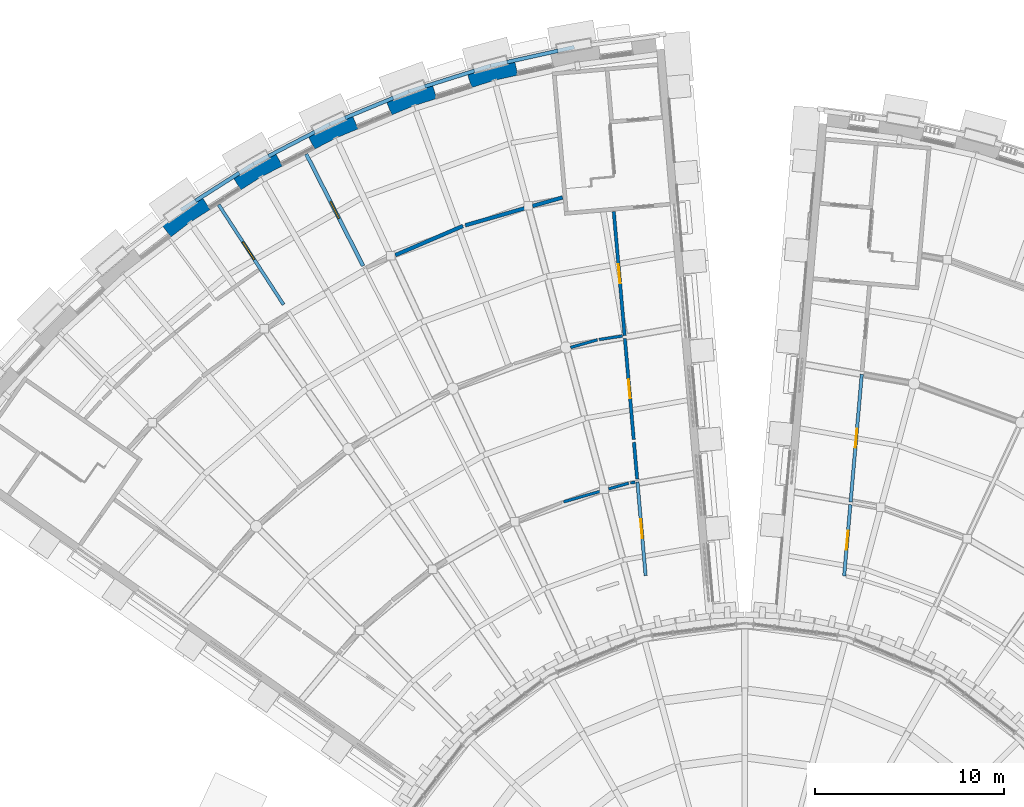
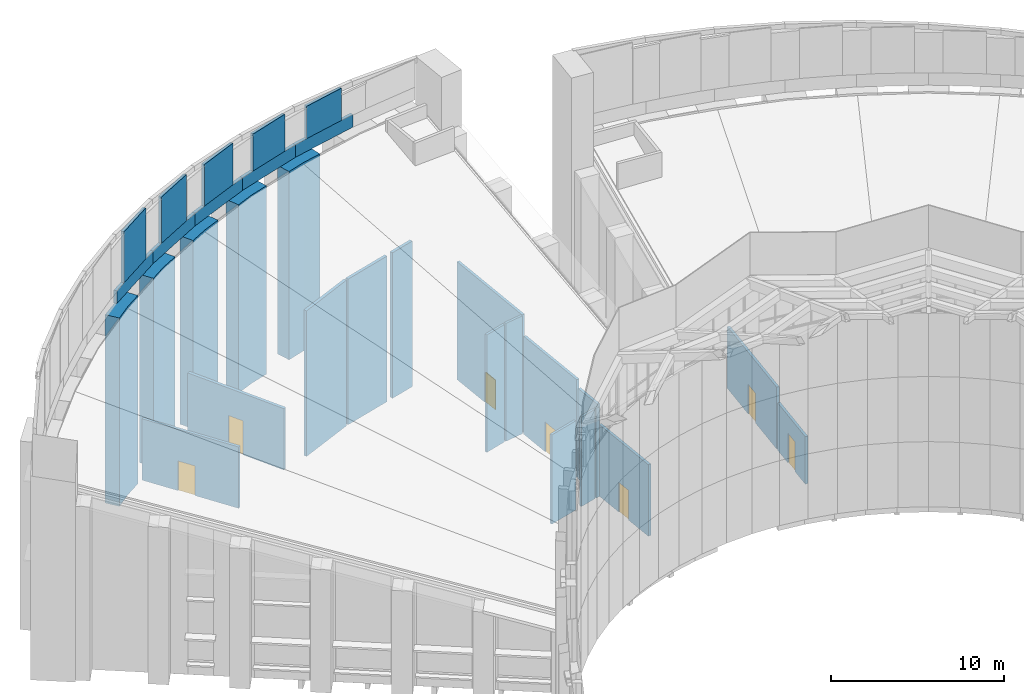
# One storey, part 59 of 82: 31 walls, 7 doors, 7 openings.
"""IFC4 building model written with IfcOpenShell, lengths in metres."""

from ifc_helpers import new_model, si_unit, direction, frame, frame_2d, origin, place, context, subcontext, project, spatial, polyline, rectangle, outline, extrude, material, layer, layer_set, type_object, element, fill, save


model = new_model("IFC4")

# Units and contexts
model_context = context("Model", 3, precision=1e-05, world=origin(), true_north=direction((0.0, 1.0)))
body_context = subcontext(model_context, "Body", "Model", "MODEL_VIEW")
ifc_project = project(units=[si_unit("LENGTHUNIT", "METRE"), si_unit("AREAUNIT", "SQUARE_METRE"), si_unit("VOLUMEUNIT", "CUBIC_METRE"), si_unit("PLANEANGLEUNIT", "RADIAN"), si_unit("MASSUNIT", "GRAM", prefix="KILO")], contexts=[model_context])

# Site, building, storey
site_placement = place(None, origin())
site = spatial("IfcSite", under=ifc_project, at=site_placement, CompositionType="ELEMENT")
building_placement = place(site_placement, origin())
building = spatial("IfcBuilding", under=site, at=building_placement, Name="Volute Hill Aquarium", CompositionType="ELEMENT")
storey_placement = place(building_placement, frame((0.0, 0.0, 13.800048828125)))
storey = spatial("IfcBuildingStorey", under=building, at=storey_placement, Name="L04", CompositionType="ELEMENT", Elevation=13.800048828125)

# Walls
ifc_material_1 = material(Name="Gypsum board on steel studs", Category="steel")
ifc_layer_1 = layer(ifc_material_1, 0.14990234375)
ifc_layer_set_1 = layer_set([ifc_layer_1], Name="Acoustic partition 150")
wall_type_1 = type_object("IfcWallType", Name="Acoustic partition 150", PredefinedType="PARTITIONING", material=ifc_layer_set_1)
wall_1_placement = place(storey_placement, frame((-9.57470703125, 27.101806640625, 0.0), z_axis=(0.0, 0.0, 1.0), x_axis=(0.961265803891, 0.275623029281, 0.0)))
element("IfcWall", 1, at=wall_1_placement, inside=storey, type_object=wall_type_1, Name="pw/S6/L04/035", PredefinedType="PARTITIONING", context=body_context, shape_type="SweptSolid", body=[
    extrude(rectangle(XDim=2.001953125, YDim=0.14990234375, at=frame_2d((1.0009765625, 0.0))), origin(), (0.0, 0.0, 1.0), 6.304443359375),
])
wall_2_placement = place(storey_placement, frame((-9.20703125, 35.253173828125, 0.0), z_axis=(0.0, 0.0, 1.0), x_axis=(0.961253533644, 0.275665819531, 0.0)))
element("IfcWall", 2, at=wall_2_placement, inside=storey, type_object=wall_type_1, Name="pw/S6/L04/041", PredefinedType="PARTITIONING", context=body_context, shape_type="SweptSolid", body=[
    extrude(rectangle(XDim=1.467529296875, YDim=0.14990234375, at=frame_2d((0.73388671875, 0.0))), origin(), (0.0, 0.0, 1.0), 8.294921875),
])
wall_3_placement = place(storey_placement, frame((-7.692626953125, 35.67333984375, 0.0), z_axis=(0.0, 0.0, 1.0), x_axis=(0.988582508218, 0.150680537714, 0.0)))
element("IfcWall", 3, at=wall_3_placement, inside=storey, type_object=wall_type_1, Name="pw/S6/L04/042", PredefinedType="PARTITIONING", context=body_context, shape_type="SweptSolid", body=[
    extrude(rectangle(XDim=1.239501953125, YDim=0.14990234375, at=frame_2d((0.61962890625, 0.0))), origin(), (0.0, 0.0, 1.0), 8.326416015625),
])
wall_4_placement = place(storey_placement, frame((-7.20166015625, 27.782470703125, 0.0), z_axis=(0.0, 0.0, 1.0), x_axis=(0.96129815515, 0.275510175682, 0.0)))
element("IfcWall", 4, at=wall_4_placement, inside=storey, type_object=wall_type_1, Name="pw/S6/L04/049", PredefinedType="PARTITIONING", context=body_context, shape_type="SweptSolid", body=[
    extrude(rectangle(XDim=1.103271484375, YDim=0.14990234375, at=frame_2d((0.5517578125, 0.0))), origin(), (0.0, 0.0, 1.0), 6.306396484375),
])
wall_5_placement = place(storey_placement, frame((-6.037109375, 28.102294921875, 0.0), z_axis=(0.0, 0.0, 1.0), x_axis=(0.988586978997, 0.150651202975, 0.0)))
element("IfcWall", 5, at=wall_5_placement, inside=storey, type_object=wall_type_1, Name="pw/S6/L04/055", PredefinedType="PARTITIONING", context=body_context, shape_type="SweptSolid", body=[
    extrude(rectangle(XDim=0.248046875, YDim=0.14990234375, at=frame_2d((0.1240234375, 0.0))), origin(), (0.0, 0.0, 1.0), 6.334228515625),
])

# Wall, opening, door
ifc_material_2 = material(Name="Gypsum board on steel studs", Category="steel")
ifc_layer_2 = layer(ifc_material_2, 0.175048828125)
ifc_layer_set_2 = layer_set([ifc_layer_2], Name="Corridor partition 175 EI 60")
wall_type_2 = type_object("IfcWallType", Name="Corridor partition 175 EI 60", PredefinedType="PARTITIONING", material=ifc_layer_set_2)
wall_6_placement = place(storey_placement, frame((6.17236328125, 33.835693359375, 0.0), z_axis=(0.0, 0.0, 1.0), x_axis=(-0.087153066589, -0.996194932222, 0.0)))
wall_6 = element("IfcWall", 6, at=wall_6_placement, inside=storey, type_object=wall_type_2, Name="pw/S5/L04/001", PredefinedType="PARTITIONING", context=body_context, shape_type="SweptSolid", body=[
    extrude(rectangle(XDim=6.76220703125, YDim=0.175048828125, at=frame_2d((3.381103515625, 0.0))), origin(), (0.0, 0.0, 1.0), 4.3603515625),
])
opening_1_placement = place(wall_6_placement, frame((2.881103515625, 0.0, 0.0)))
opening_1 = element("IfcOpeningElement", 7, at=opening_1_placement, cuts=wall_6, Name="Opening D5.04.06", PredefinedType="OPENING", context=body_context, shape_type="SweptSolid", body=[
    extrude(rectangle(XDim=1.0, YDim=2.10009765625, at=frame_2d((0.5, 1.050048828125))), frame((0.0, 0.097412109375, 0.0), z_axis=(0.0, -1.0, 0.0), x_axis=(1.0, 0.0, 0.0)), (0.0, 0.0, 1.0), 0.195068359375),
])
ifc_material_3 = material(Name="Timber, fire-rated", Category="wood")
door_type_1 = type_object("IfcDoorType", Name="Door 1000 x 2100 single EI1 30", OperationType="SINGLE_SWING_LEFT", PredefinedType="DOOR", material=ifc_material_3)
door_1_placement = place(opening_1_placement, origin())
door_1 = element("IfcDoor", 8, at=door_1_placement, inside=storey, type_object=door_type_1, Name="d/S5/L04/06", OperationType="SINGLE_SWING_RIGHT", OverallHeight=2.10009765625, OverallWidth=1.0, PredefinedType="DOOR", context=body_context, shape_type="SweptSolid", body=[
    extrude(rectangle(XDim=1.0, YDim=2.10009765625, at=frame_2d((0.5, 1.050048828125))), frame((0.0, 0.02490234375, 0.0), z_axis=(0.0, -1.0, 0.0), x_axis=(1.0, 0.0, 0.0)), (0.0, 0.0, 1.0), 0.050048828125),
])
fill(opening_1, door_1)

wall_7_placement = place(storey_placement, frame((5.570068359375, 26.94970703125, 0.0), z_axis=(0.0, 0.0, 1.0), x_axis=(-0.087196662223, -0.996191117255, 0.0)))
wall_7 = element("IfcWall", 9, at=wall_7_placement, inside=storey, type_object=wall_type_2, Name="pw/S5/L04/019", PredefinedType="PARTITIONING", context=body_context, shape_type="SweptSolid", body=[
    extrude(rectangle(XDim=3.771484375, YDim=0.175048828125, at=frame_2d((1.8857421875, 0.0))), origin(), (0.0, 0.0, 1.0), 3.35205078125),
])
opening_2_placement = place(wall_7_placement, frame((1.3857421875, 0.0, 0.0)))
opening_2 = element("IfcOpeningElement", 10, at=opening_2_placement, cuts=wall_7, Name="Opening D5.04.05", PredefinedType="OPENING", context=body_context, shape_type="SweptSolid", body=[
    extrude(rectangle(XDim=1.0, YDim=2.10009765625, at=frame_2d((0.5, 1.050048828125))), frame((0.0, 0.097412109375, 0.0), z_axis=(0.0, -1.0, 0.0), x_axis=(1.0, 0.0, 0.0)), (0.0, 0.0, 1.0), 0.195068359375),
])
door_2_placement = place(opening_2_placement, origin())
door_2 = element("IfcDoor", 11, at=door_2_placement, inside=storey, type_object=door_type_1, Name="d/S5/L04/05", OperationType="SINGLE_SWING_LEFT", OverallHeight=2.10009765625, OverallWidth=1.0, PredefinedType="DOOR", context=body_context, shape_type="SweptSolid", body=[
    extrude(rectangle(XDim=1.0, YDim=2.10009765625, at=frame_2d((0.5, 1.050048828125))), frame((0.0, 0.02490234375, 0.0), z_axis=(0.0, -1.0, 0.0), x_axis=(1.0, 0.0, 0.0)), (0.0, 0.0, 1.0), 0.050048828125),
])
fill(opening_2, door_2)

wall_8_placement = place(storey_placement, frame((-6.35107421875, 35.8779296875, 0.0), z_axis=(0.0, 0.0, 1.0), x_axis=(-0.087183992952, 0.996192226115, 0.0)))
wall_8 = element("IfcWall", 12, at=wall_8_placement, inside=storey, type_object=wall_type_2, Name="pw/S6/L04/007", PredefinedType="PARTITIONING", context=body_context, shape_type="SweptSolid", body=[
    extrude(rectangle(XDim=6.5751953125, YDim=0.175048828125, at=frame_2d((3.28759765625, 0.0))), origin(), (0.0, 0.0, 1.0), 8.32568359375),
])
opening_3_placement = place(wall_8_placement, frame((2.78759765625, 0.0, 0.0)))
opening_3 = element("IfcOpeningElement", 13, at=opening_3_placement, cuts=wall_8, Name="Opening D6.04.03", PredefinedType="OPENING", context=body_context, shape_type="SweptSolid", body=[
    extrude(rectangle(XDim=1.0, YDim=2.10009765625, at=frame_2d((0.5, 1.050048828125))), frame((0.0, 0.097412109375, 0.0), z_axis=(0.0, -1.0, 0.0), x_axis=(1.0, 0.0, 0.0)), (0.0, 0.0, 1.0), 0.195068359375),
])
door_3_placement = place(opening_3_placement, origin())
door_3 = element("IfcDoor", 14, at=door_3_placement, inside=storey, type_object=door_type_1, Name="d/S6/L04/03", OperationType="SINGLE_SWING_LEFT", OverallHeight=2.10009765625, OverallWidth=1.0, PredefinedType="DOOR", context=body_context, shape_type="SweptSolid", body=[
    extrude(rectangle(XDim=1.0, YDim=2.10009765625, at=frame_2d((0.5, 1.050048828125))), frame((0.0, 0.02490234375, 0.0), z_axis=(0.0, -1.0, 0.0), x_axis=(1.0, 0.0, 0.0)), (0.0, 0.0, 1.0), 0.050048828125),
])
fill(opening_3, door_3)

wall_9_placement = place(storey_placement, frame((-24.364990234375, 37.518798828125, 0.0), z_axis=(0.0, 0.0, 1.0), x_axis=(-0.544641624285, 0.838668886448, 0.0)))
wall_9 = element("IfcWall", 15, at=wall_9_placement, inside=storey, type_object=wall_type_2, Name="pw/S6/L04/008", PredefinedType="PARTITIONING", context=body_context, shape_type="SweptSolid", body=[
    extrude(rectangle(XDim=6.287353515625, YDim=0.175048828125, at=frame_2d((3.1435546875, 0.0))), origin(), (0.0, 0.0, 1.0), 4.3349609375),
])
opening_4_placement = place(wall_9_placement, frame((2.843505859375, 0.0, 0.0)))
opening_4 = element("IfcOpeningElement", 16, at=opening_4_placement, cuts=wall_9, Name="Opening D6.04.08", PredefinedType="OPENING", context=body_context, shape_type="SweptSolid", body=[
    extrude(rectangle(XDim=1.10009765625, YDim=2.10009765625, at=frame_2d((0.550048828125, 1.050048828125))), frame((0.0, 0.097412109375, 0.0), z_axis=(0.0, -1.0, 0.0), x_axis=(1.0, 0.0, 0.0)), (0.0, 0.0, 1.0), 0.195068359375),
])
ifc_material_4 = material(Name="Timber, fire-rated", Category="wood")
door_type_2 = type_object("IfcDoorType", Name="Door 1100 x 2100 accessible WC EI1 30", OperationType="SINGLE_SWING_LEFT", PredefinedType="DOOR", material=ifc_material_4)
door_4_placement = place(opening_4_placement, origin())
door_4 = element("IfcDoor", 17, at=door_4_placement, inside=storey, type_object=door_type_2, Name="d/S6/L04/08", OperationType="SINGLE_SWING_RIGHT", OverallHeight=2.10009765625, OverallWidth=1.10009765625, PredefinedType="DOOR", context=body_context, shape_type="SweptSolid", body=[
    extrude(rectangle(XDim=1.10009765625, YDim=2.10009765625, at=frame_2d((0.550048828125, 1.050048828125))), frame((0.0, 0.02490234375, 0.0), z_axis=(0.0, -1.0, 0.0), x_axis=(1.0, 0.0, 0.0)), (0.0, 0.0, 1.0), 0.050048828125),
])
fill(opening_4, door_4)

wall_10_placement = place(storey_placement, frame((-5.87158203125, 30.396728515625, 0.0), z_axis=(0.0, 0.0, 1.0), x_axis=(-0.087125642308, 0.996197331081, 0.0)))
wall_10 = element("IfcWall", 18, at=wall_10_placement, inside=storey, type_object=wall_type_2, Name="pw/S6/L04/010", PredefinedType="PARTITIONING", context=body_context, shape_type="SweptSolid", body=[
    extrude(rectangle(XDim=5.35205078125, YDim=0.175048828125, at=frame_2d((2.676025390625, 0.0))), origin(), (0.0, 0.0, 1.0), 6.911376953125),
])
opening_5_placement = place(wall_10_placement, frame((2.176025390625, 0.0, 0.0)))
opening_5 = element("IfcOpeningElement", 19, at=opening_5_placement, cuts=wall_10, Name="Opening D6.04.02", PredefinedType="OPENING", context=body_context, shape_type="SweptSolid", body=[
    extrude(rectangle(XDim=1.0, YDim=2.10009765625, at=frame_2d((0.5, 1.050048828125))), frame((0.0, 0.097412109375, 0.0), z_axis=(0.0, -1.0, 0.0), x_axis=(1.0, 0.0, 0.0)), (0.0, 0.0, 1.0), 0.195068359375),
])
door_5_placement = place(opening_5_placement, origin())
door_5 = element("IfcDoor", 20, at=door_5_placement, inside=storey, type_object=door_type_1, Name="d/S6/L04/02", OperationType="SINGLE_SWING_RIGHT", OverallHeight=2.10009765625, OverallWidth=1.0, PredefinedType="DOOR", context=body_context, shape_type="SweptSolid", body=[
    extrude(rectangle(XDim=1.0, YDim=2.10009765625, at=frame_2d((0.5, 1.050048828125))), frame((0.0, 0.02490234375, 0.0), z_axis=(0.0, -1.0, 0.0), x_axis=(1.0, 0.0, 0.0)), (0.0, 0.0, 1.0), 0.050048828125),
])
fill(opening_5, door_5)

wall_11_placement = place(storey_placement, frame((-5.2421875, 23.202392578125, 0.0), z_axis=(0.0, 0.0, 1.0), x_axis=(-0.087171821309, 0.996193291269, 0.0)))
wall_11 = element("IfcWall", 21, at=wall_11_placement, inside=storey, type_object=wall_type_2, Name="pw/S6/L04/012", PredefinedType="PARTITIONING", context=body_context, shape_type="SweptSolid", body=[
    extrude(rectangle(XDim=4.97412109375, YDim=0.175048828125, at=frame_2d((2.487060546875, 0.0))), origin(), (0.0, 0.0, 1.0), 5.0546875),
])
opening_6_placement = place(wall_11_placement, frame((1.987060546875, 0.0, 0.0)))
opening_6 = element("IfcOpeningElement", 22, at=opening_6_placement, cuts=wall_11, Name="Opening D6.04.01", PredefinedType="OPENING", context=body_context, shape_type="SweptSolid", body=[
    extrude(rectangle(XDim=1.0, YDim=2.10009765625, at=frame_2d((0.5, 1.050048828125))), frame((0.0, 0.097412109375, 0.0), z_axis=(0.0, -1.0, 0.0), x_axis=(1.0, 0.0, 0.0)), (0.0, 0.0, 1.0), 0.195068359375),
])
door_6_placement = place(opening_6_placement, origin())
door_6 = element("IfcDoor", 23, at=door_6_placement, inside=storey, type_object=door_type_1, Name="d/S6/L04/01", OperationType="SINGLE_SWING_LEFT", OverallHeight=2.10009765625, OverallWidth=1.0, PredefinedType="DOOR", context=body_context, shape_type="SweptSolid", body=[
    extrude(rectangle(XDim=1.0, YDim=2.10009765625, at=frame_2d((0.5, 1.050048828125))), frame((0.0, 0.02490234375, 0.0), z_axis=(0.0, -1.0, 0.0), x_axis=(1.0, 0.0, 0.0)), (0.0, 0.0, 1.0), 0.050048828125),
])
fill(opening_6, door_6)

# Walls
wall_12_placement = place(storey_placement, frame((-5.688720703125, 28.306884765625, 0.0), z_axis=(0.0, 0.0, 1.0), x_axis=(-0.087110975906, 0.996198613669, 0.0)))
element("IfcWall", 24, at=wall_12_placement, inside=storey, type_object=wall_type_2, Name="pw/S6/L04/033", PredefinedType="PARTITIONING", context=body_context, shape_type="SweptSolid", body=[
    extrude(rectangle(XDim=1.94775390625, YDim=0.175048828125, at=frame_2d((0.973876953125, 0.0))), origin(), (0.0, 0.0, 1.0), 6.3720703125),
])
ifc_material_5 = material(Name="Precast concrete C40/50", Category="concrete")
ifc_layer_3 = layer(ifc_material_5, 0.199951171875)
ifc_layer_set_3 = layer_set([ifc_layer_3], Name="Crown screen wall precast concrete C40/50 200")
wall_type_3 = type_object("IfcWallType", Name="Crown screen wall precast concrete C40/50 200", PredefinedType="NOTDEFINED", material=ifc_layer_set_3)
wall_13_placement = place(storey_placement, frame((0.0, 0.0, 14.199951171875)))
element("IfcWall", 25, at=wall_13_placement, inside=storey, type_object=wall_type_3, Name="Crown screen wall CSW S6 2", PredefinedType="NOTDEFINED", context=body_context, shape_type="SweptSolid", body=[
    extrude(outline(polyline([(-9.906494140625, 51.01611328125), (-12.58203125, 50.4228515625), (-12.530029296875, 50.2294921875), (-9.871826171875, 50.81884765625), (-9.906494140625, 51.01611328125)])), origin(), (0.0, 0.0, 1.0), 2.280029296875),
])
wall_14_placement = place(storey_placement, frame((0.0, 0.0, 14.199951171875)))
element("IfcWall", 26, at=wall_14_placement, inside=storey, type_object=wall_type_3, Name="Crown screen wall CSW S6 3", PredefinedType="NOTDEFINED", context=body_context, shape_type="SweptSolid", body=[
    extrude(outline(polyline([(-14.315185546875, 49.95849609375), (-16.9287109375, 49.134521484375), (-16.860107421875, 48.9462890625), (-14.263427734375, 49.76513671875), (-14.315185546875, 49.95849609375)])), origin(), (0.0, 0.0, 1.0), 2.610107421875),
])
wall_15_placement = place(storey_placement, frame((0.0, 0.0, 14.199951171875)))
element("IfcWall", 27, at=wall_15_placement, inside=storey, type_object=wall_type_3, Name="Crown screen wall CSW S6 4", PredefinedType="NOTDEFINED", context=body_context, shape_type="SweptSolid", body=[
    extrude(outline(polyline([(-18.61474609375, 48.520751953125), (-21.146728515625, 47.47216796875), (-21.06201171875, 47.290771484375), (-18.54638671875, 48.332763671875), (-18.61474609375, 48.520751953125)])), origin(), (0.0, 0.0, 1.0), 2.93994140625),
])
wall_16_placement = place(storey_placement, frame((0.0, 0.0, 14.199951171875)))
element("IfcWall", 28, at=wall_16_placement, inside=storey, type_object=wall_type_3, Name="Crown screen wall CSW S6 5", PredefinedType="NOTDEFINED", context=body_context, shape_type="SweptSolid", body=[
    extrude(outline(polyline([(-22.77294921875, 46.7138671875), (-25.20361328125, 45.448486328125), (-25.103515625, 45.27490234375), (-22.688232421875, 46.5322265625), (-22.77294921875, 46.7138671875)])), origin(), (0.0, 0.0, 1.0), 3.27001953125),
])
wall_17_placement = place(storey_placement, frame((0.0, 0.0, 14.199951171875)))
element("IfcWall", 29, at=wall_17_placement, inside=storey, type_object=wall_type_3, Name="Crown screen wall CSW S6 6", PredefinedType="NOTDEFINED", context=body_context, shape_type="SweptSolid", body=[
    extrude(outline(polyline([(-26.757568359375, 44.55126953125), (-29.06884765625, 43.078857421875), (-28.9541015625, 42.914794921875), (-26.657470703125, 44.3779296875), (-26.757568359375, 44.55126953125)])), origin(), (0.0, 0.0, 1.0), 3.60009765625),
])

# Wall, opening, door
ifc_material_6 = material(Name="Masonry blockwork", Category="masonry")
ifc_layer_4 = layer(ifc_material_6, 0.199951171875)
ifc_layer_set_4 = layer_set([ifc_layer_4], Name="Fire partition 200 EI 60")
wall_type_4 = type_object("IfcWallType", Name="Fire partition 200 EI 60", PredefinedType="PARTITIONING", material=ifc_layer_set_4)
wall_18_placement = place(storey_placement, frame((-23.1640625, 45.462158203125, 0.0), z_axis=(0.0, 0.0, 1.0), x_axis=(0.453983208185, -0.891010239383, 0.0)))
wall_18 = element("IfcWall", 30, at=wall_18_placement, inside=storey, type_object=wall_type_4, Name="pw/S6/L04/004", PredefinedType="PARTITIONING", context=body_context, shape_type="SweptSolid", body=[
    extrude(rectangle(XDim=6.623291015625, YDim=0.199951171875, at=frame_2d((3.3115234375, 0.0))), origin(), (0.0, 0.0, 1.0), 4.3349609375),
])
opening_7_placement = place(wall_18_placement, frame((2.811767578125, 0.0, 0.0)))
opening_7 = element("IfcOpeningElement", 31, at=opening_7_placement, cuts=wall_18, Name="Opening D6.04.07", PredefinedType="OPENING", context=body_context, shape_type="SweptSolid", body=[
    extrude(rectangle(XDim=1.0, YDim=2.39990234375, at=frame_2d((0.5, 1.199951171875))), frame((0.0, 0.10986328125, 0.0), z_axis=(0.0, -1.0, 0.0), x_axis=(1.0, 0.0, 0.0)), (0.0, 0.0, 1.0), 0.219970703125),
])
ifc_material_7 = material(Name="Steel, fire-rated", Category="steel")
door_type_3 = type_object("IfcDoorType", Name="Door 1000 x 2400 laboratory EI1 30", OperationType="SINGLE_SWING_LEFT", PredefinedType="DOOR", material=ifc_material_7)
door_7_placement = place(opening_7_placement, origin())
door_7 = element("IfcDoor", 32, at=door_7_placement, inside=storey, type_object=door_type_3, Name="d/S6/L04/07", OperationType="SINGLE_SWING_LEFT", OverallHeight=2.39990234375, OverallWidth=1.0, PredefinedType="DOOR", context=body_context, shape_type="SweptSolid", body=[
    extrude(rectangle(XDim=1.0, YDim=2.39990234375, at=frame_2d((0.5, 1.199951171875))), frame((0.0, 0.02490234375, 0.0), z_axis=(0.0, -1.0, 0.0), x_axis=(1.0, 0.0, 0.0)), (0.0, 0.0, 1.0), 0.050048828125),
])
fill(opening_7, door_7)

# Walls
wall_19_placement = place(storey_placement, frame((-18.462158203125, 40.12890625, 0.0), z_axis=(0.0, 0.0, 1.0), x_axis=(0.918233153658, 0.396040244828, 0.0)))
element("IfcWall", 33, at=wall_19_placement, inside=storey, type_object=wall_type_4, Name="pw/S6/L04/019", PredefinedType="PARTITIONING", context=body_context, shape_type="SweptSolid", body=[
    extrude(rectangle(XDim=3.887939453125, YDim=0.199951171875, at=frame_2d((1.94384765625, 0.0))), origin(), (0.0, 0.0, 1.0), 10.283935546875),
])
wall_20_placement = place(storey_placement, frame((-14.767333984375, 41.70458984375, 0.0), z_axis=(0.0, 0.0, 1.0), x_axis=(0.961273910013, 0.275594756714, 0.0)))
element("IfcWall", 34, at=wall_20_placement, inside=storey, type_object=wall_type_4, Name="pw/S6/L04/023", PredefinedType="PARTITIONING", context=body_context, shape_type="SweptSolid", body=[
    extrude(rectangle(XDim=3.24755859375, YDim=0.199951171875, at=frame_2d((1.623779296875, 0.0))), origin(), (0.0, 0.0, 1.0), 10.28125),
])
wall_21_placement = place(storey_placement, frame((-11.213623046875, 42.7236328125, 0.0), z_axis=(0.0, 0.0, 1.0), x_axis=(0.961266301996, 0.275621292078, 0.0)))
element("IfcWall", 35, at=wall_21_placement, inside=storey, type_object=wall_type_4, Name="pw/S6/L04/039", PredefinedType="PARTITIONING", context=body_context, shape_type="SweptSolid", body=[
    extrude(rectangle(XDim=1.6474609375, YDim=0.199951171875, at=frame_2d((0.82373046875, 0.0))), origin(), (0.0, 0.0, 1.0), 10.283447265625),
])
ifc_material_8 = material(Name="Precast concrete C40/50", Category="concrete")
ifc_layer_5 = layer(ifc_material_8, 0.89990234375)
ifc_layer_set_5 = layer_set([ifc_layer_5], Name="Outer pier precast concrete C40/50 900")
wall_type_5 = type_object("IfcWallType", Name="Outer pier precast concrete C40/50 900", PredefinedType="NOTDEFINED", material=ifc_layer_set_5)
wall_22_placement = place(storey_placement, origin())
element("IfcWall", 36, at=wall_22_placement, inside=storey, type_object=wall_type_5, Name="Outer pier OWP S6 L04 3", PredefinedType="NOTDEFINED", context=body_context, shape_type="SweptSolid", body=[
    extrude(outline(polyline([(-11.993408203125, 49.631591796875), (-12.188232421875, 50.51025390625), (-14.69970703125, 49.837158203125), (-14.42919921875, 48.97900390625), (-13.2255859375, 49.3583984375), (-11.993408203125, 49.631591796875)])), origin(), (0.0, 0.0, 1.0), 13.300048828125),
])
wall_23_placement = place(storey_placement, origin())
element("IfcWall", 37, at=wall_23_placement, inside=storey, type_object=wall_type_5, Name="Outer pier OWP S6 L04 4", PredefinedType="NOTDEFINED", context=body_context, shape_type="SweptSolid", body=[
    extrude(outline(polyline([(-16.2734375, 48.3974609375), (-16.544189453125, 49.255859375), (-18.987548828125, 48.366455078125), (-18.64306640625, 47.534912109375), (-17.47705078125, 48.017822265625), (-16.2734375, 48.3974609375)])), origin(), (0.0, 0.0, 1.0), 13.300048828125),
])
wall_24_placement = place(storey_placement, origin())
element("IfcWall", 38, at=wall_24_placement, inside=storey, type_object=wall_type_5, Name="Outer pier OWP S6 L04 5", PredefinedType="NOTDEFINED", context=body_context, shape_type="SweptSolid", body=[
    extrude(outline(polyline([(-20.4296875, 46.794921875), (-20.774169921875, 47.62646484375), (-23.130615234375, 46.527587890625), (-22.715087890625, 45.729248046875), (-21.595703125, 46.31201171875), (-20.4296875, 46.794921875)])), origin(), (0.0, 0.0, 1.0), 13.300048828125),
])
wall_25_placement = place(storey_placement, origin())
element("IfcWall", 39, at=wall_25_placement, inside=storey, type_object=wall_type_5, Name="Outer pier OWP S6 L04 6", PredefinedType="NOTDEFINED", context=body_context, shape_type="SweptSolid", body=[
    extrude(outline(polyline([(-24.430419921875, 44.836181640625), (-24.845947265625, 45.634521484375), (-27.09765625, 44.33447265625), (-26.6142578125, 43.575439453125), (-25.5498046875, 44.25341796875), (-24.430419921875, 44.836181640625)])), origin(), (0.0, 0.0, 1.0), 13.300048828125),
])
wall_26_placement = place(storey_placement, origin())
element("IfcWall", 40, at=wall_26_placement, inside=storey, type_object=wall_type_5, Name="Outer pier OWP S6 L04 7", PredefinedType="NOTDEFINED", context=body_context, shape_type="SweptSolid", body=[
    extrude(outline(polyline([(-28.2451171875, 42.536376953125), (-28.728759765625, 43.29541015625), (-30.858642578125, 41.803955078125), (-30.310791015625, 41.090087890625), (-29.3095703125, 41.8583984375), (-28.2451171875, 42.536376953125)])), origin(), (0.0, 0.0, 1.0), 13.300048828125),
])
ifc_material_9 = material(Name="Precast concrete C40/50", Category="concrete")
ifc_layer_6 = layer(ifc_material_9, 0.199951171875)
ifc_layer_set_6 = layer_set([ifc_layer_6], Name="Roof edge parapet precast concrete C40/50 200")
wall_type_6 = type_object("IfcWallType", Name="Roof edge parapet precast concrete C40/50 200", PredefinedType="PARAPET", material=ifc_layer_set_6)
wall_27_placement = place(storey_placement, frame((0.0, 0.0, 13.300048828125)))
element("IfcWall", 41, at=wall_27_placement, inside=storey, type_object=wall_type_6, Name="Roof edge parapet PAR S6 2", PredefinedType="PARAPET", context=body_context, shape_type="SweptSolid", body=[
    extrude(outline(polyline([(-8.9951171875, 51.01318359375), (-9.02978515625, 51.21044921875), (-13.458740234375, 50.228515625), (-13.406982421875, 50.03515625), (-8.9951171875, 51.01318359375)])), origin(), (0.0, 0.0, 1.0), 0.89990234375),
])
wall_28_placement = place(storey_placement, frame((0.0, 0.0, 13.300048828125)))
element("IfcWall", 42, at=wall_28_placement, inside=storey, type_object=wall_type_6, Name="Roof edge parapet PAR S6 3", PredefinedType="PARAPET", context=body_context, shape_type="SweptSolid", body=[
    extrude(outline(polyline([(-13.406982421875, 50.03515625), (-13.458740234375, 50.228515625), (-17.78515625, 48.864501953125), (-17.716796875, 48.67626953125), (-13.406982421875, 50.03515625)])), origin(), (0.0, 0.0, 1.0), 0.89990234375),
])
wall_29_placement = place(storey_placement, frame((0.0, 0.0, 13.300048828125)))
element("IfcWall", 43, at=wall_29_placement, inside=storey, type_object=wall_type_6, Name="Roof edge parapet PAR S6 4", PredefinedType="PARAPET", context=body_context, shape_type="SweptSolid", body=[
    extrude(outline(polyline([(-17.716796875, 48.67626953125), (-17.78515625, 48.864501953125), (-21.976318359375, 47.12841796875), (-21.891845703125, 46.947021484375), (-17.716796875, 48.67626953125)])), origin(), (0.0, 0.0, 1.0), 0.89990234375),
])
wall_30_placement = place(storey_placement, frame((0.0, 0.0, 13.300048828125)))
element("IfcWall", 44, at=wall_30_placement, inside=storey, type_object=wall_type_6, Name="Roof edge parapet PAR S6 5", PredefinedType="PARAPET", context=body_context, shape_type="SweptSolid", body=[
    extrude(outline(polyline([(-21.891845703125, 46.947021484375), (-21.976318359375, 47.12841796875), (-26.000244140625, 45.03369140625), (-25.900146484375, 44.8603515625), (-21.891845703125, 46.947021484375)])), origin(), (0.0, 0.0, 1.0), 0.89990234375),
])
wall_31_placement = place(storey_placement, frame((0.0, 0.0, 13.300048828125)))
element("IfcWall", 45, at=wall_31_placement, inside=storey, type_object=wall_type_6, Name="Roof edge parapet PAR S6 6", PredefinedType="PARAPET", context=body_context, shape_type="SweptSolid", body=[
    extrude(outline(polyline([(-25.900146484375, 44.8603515625), (-26.000244140625, 45.03369140625), (-29.826171875, 42.59619140625), (-29.71142578125, 42.432373046875), (-25.900146484375, 44.8603515625)])), origin(), (0.0, 0.0, 1.0), 0.89990234375),
])

save(model, "model.ifc")
